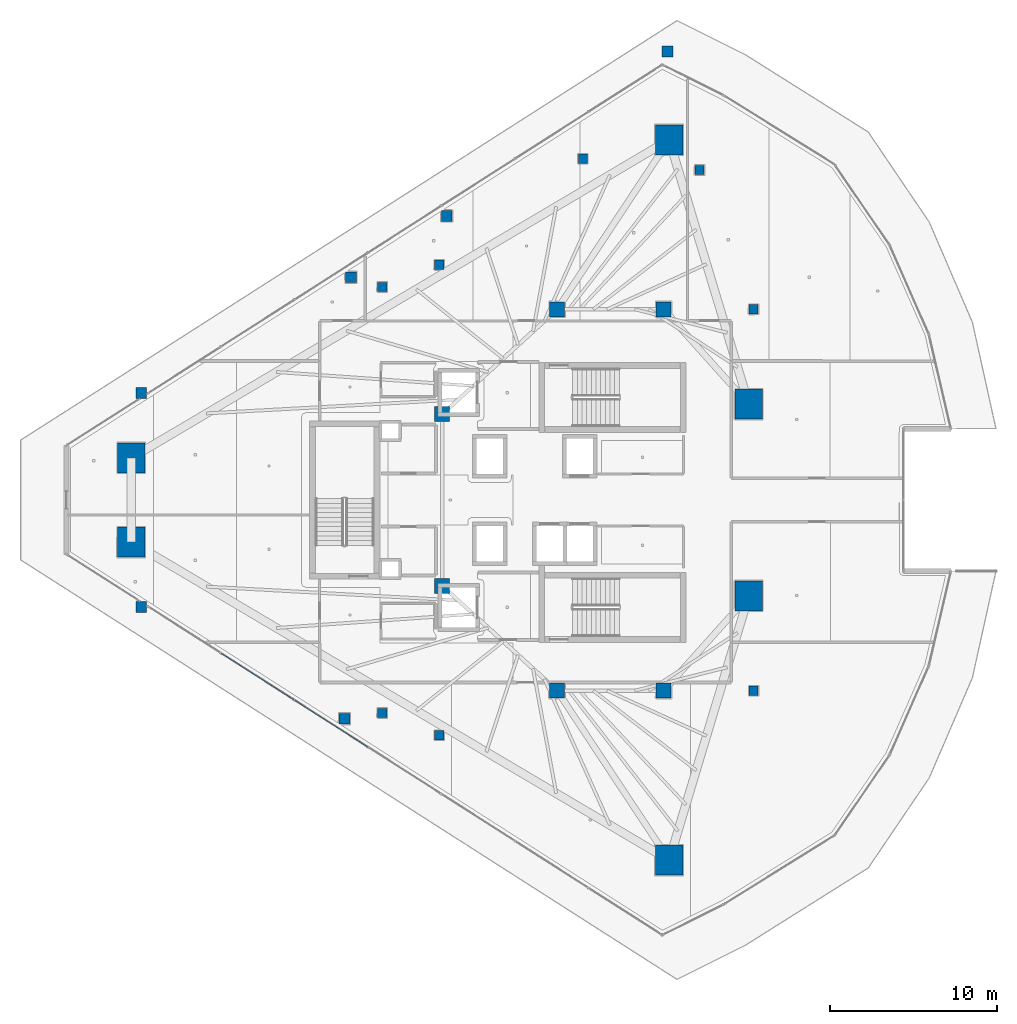
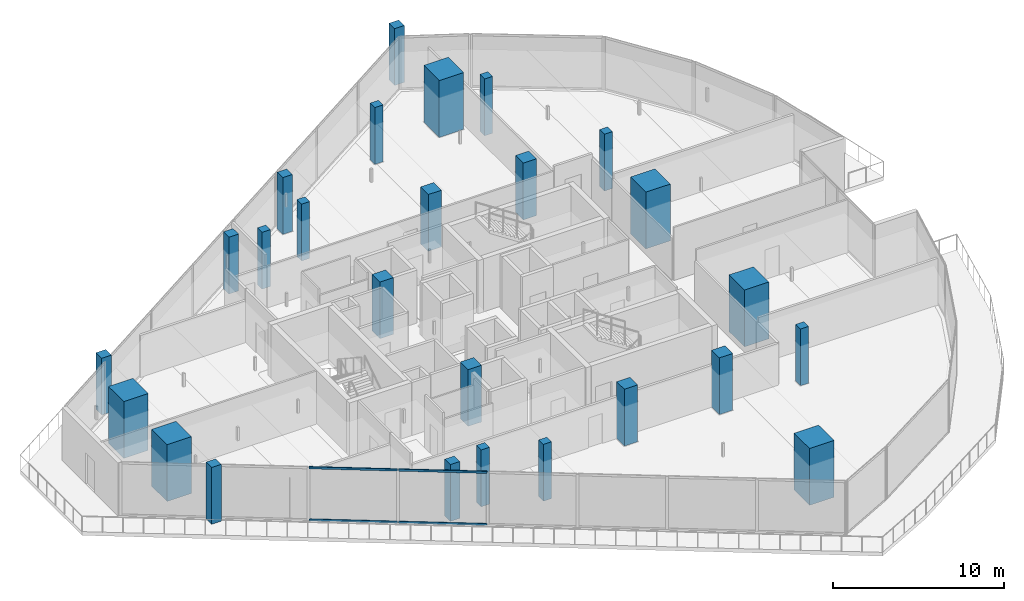
# One storey, part 1 of 33: 26 columns, 4 members, 1 element without a shape of its own.
"""IFC4 building model written with IfcOpenShell, lengths in metres."""

from ifc_helpers import new_model, si_unit, direction, frame, origin, origin_2d, place, context, subcontext, project, spatial, rectangle, hollow_rectangle, extrude, material, layer, layer_set, material_profile, profile_set, type_object, element, aggregate, save


model = new_model("IFC4")

# Units and contexts
model_context = context("Model", 3, precision=1e-05, world=origin(), true_north=direction((0.0, 1.0)))
body_context = subcontext(model_context, "Body", "Model", "MODEL_VIEW")
ifc_project = project(units=[si_unit("LENGTHUNIT", "METRE"), si_unit("AREAUNIT", "SQUARE_METRE"), si_unit("VOLUMEUNIT", "CUBIC_METRE"), si_unit("PLANEANGLEUNIT", "RADIAN"), si_unit("MASSUNIT", "GRAM", prefix="KILO")], contexts=[model_context])

# Site, building, storey
site_placement = place(None, origin())
site = spatial("IfcSite", under=ifc_project, at=site_placement, CompositionType="ELEMENT")
building_placement = place(site_placement, origin())
building = spatial("IfcBuilding", under=site, at=building_placement, Name="Qorvath Tower", CompositionType="ELEMENT")
storey_placement = place(building_placement, frame((0.0, 0.0, 221.25)))
storey = spatial("IfcBuildingStorey", under=building, at=storey_placement, Name="L51", CompositionType="ELEMENT", Elevation=221.25)

# Columns
ifc_material_1 = material(Name="Concrete C60/75", Category="concrete")
ifc_material_profile_1 = material_profile(ifc_material_1, rectangle(XDim=1.64990234375, YDim=1.800048828125, at=origin_2d()), Name="MC 1800x1650")
ifc_profile_set_1 = profile_set([ifc_material_profile_1], Name="Concrete C60/75")
column_type_1 = type_object("IfcColumnType", Name="COL-MC4", PredefinedType="COLUMN", material=ifc_profile_set_1)
for number, where, z_axis, x_axis, name in (
    (1, (-49.171875, 2.52783203125, 0.0), (0.0, 0.0, 1.0), (1.0, 0.0, 0.0), "Composite Mega-Column MC1 L51"),
    (2, (-49.171875, -2.52783203125, 0.0), (0.0, 0.0, 1.0), (1.0, 0.0, 0.0), "Composite Mega-Column MC2 L51"),
    (3, (-16.87158203125, -21.627197265625, 0.0), (0.0, 0.0, 1.0), (1.0, 0.0, 0.0), "Composite Mega-Column MC3 L51"),
    (4, (-12.0966796875, -5.7578125, 0.0), (0.0, 0.0, 1.0), (1.0, 0.0, 0.0), "Composite Mega-Column MC4 L51"),
    (5, (-12.0966796875, 5.7578125, 0.0), (0.0, 0.0, 1.0), (1.0, 0.0, 0.0), "Composite Mega-Column MC5 L51"),
    (6, (-16.87158203125, 21.627197265625, 0.0), (0.0, 0.0, 1.0), (1.0, 0.0, 0.0), "Composite Mega-Column MC6 L51"),
):
    element("IfcColumn", number, at=place(storey_placement, frame(where, z_axis=z_axis, x_axis=x_axis)), inside=storey, type_object=column_type_1, Name=name, PredefinedType="COLUMN", context=body_context, shape_type="SweptSolid", body=[
        extrude(rectangle(XDim=1.64990234375, YDim=1.800048828125, at=origin_2d()), origin(), (0.0, 0.0, 1.0), 4.050048828125),
    ])
ifc_material_2 = material(Name="Concrete C50/60", Category="concrete")
ifc_material_profile_2 = material_profile(ifc_material_2, rectangle(XDim=0.89990234375, YDim=0.89990234375, at=origin_2d()), Name="RC 900x900")
ifc_profile_set_2 = profile_set([ifc_material_profile_2], Name="Concrete C50/60")
column_type_2 = type_object("IfcColumnType", Name="COL-RC3", PredefinedType="COLUMN", material=ifc_profile_set_2)
for number, where, z_axis, x_axis, name in (
    (7, (-23.60009765625, 11.449951171875, 0.0), (0.0, 0.0, 1.0), (1.0, 0.0, 0.0), "Core Spine Column CC1 L51"),
    (8, (-17.199951171875, 11.449951171875, 0.0), (0.0, 0.0, 1.0), (1.0, 0.0, 0.0), "Core Spine Column CC2 L51"),
    (9, (-17.199951171875, -11.449951171875, 0.0), (0.0, 0.0, 1.0), (1.0, 0.0, 0.0), "Core Spine Column CC3 L51"),
    (10, (-23.60009765625, -11.449951171875, 0.0), (0.0, 0.0, 1.0), (1.0, 0.0, 0.0), "Core Spine Column CC4 L51"),
    (11, (-30.5, 5.14990234375, 0.0), (0.0, 0.0, 1.0), (1.0, 0.0, 0.0), "Core Spine Column CC5 L51"),
    (12, (-30.5, -5.14990234375, 0.0), (0.0, 0.0, 1.0), (1.0, 0.0, 0.0), "Core Spine Column CC6 L51"),
):
    element("IfcColumn", number, at=place(storey_placement, frame(where, z_axis=z_axis, x_axis=x_axis)), inside=storey, type_object=column_type_2, Name=name, PredefinedType="COLUMN", context=body_context, shape_type="SweptSolid", body=[
        extrude(rectangle(XDim=0.89990234375, YDim=0.89990234375, at=origin_2d()), origin(), (0.0, 0.0, 1.0), 4.050048828125),
    ])
ifc_material_3 = material(Name="Concrete C45/55", Category="concrete")
ifc_material_profile_3 = material_profile(ifc_material_3, rectangle(XDim=0.64990234375, YDim=0.64990234375, at=origin_2d()), Name="RC 650x650")
ifc_profile_set_3 = profile_set([ifc_material_profile_3], Name="Concrete C45/55")
column_type_3 = type_object("IfcColumnType", Name="COL-RC6", PredefinedType="COLUMN", material=ifc_profile_set_3)
for number, where, z_axis, x_axis, name in (
    (13, (-48.578369140625, 6.424560546875, 0.0), (0.0, 0.0, 1.0), (1.0, 0.0, 0.0), "Loggia Frame Pier Column LGE1 L51"),
    (14, (-48.578369140625, -6.424560546875, 0.0), (0.0, 0.0, 1.0), (1.0, 0.0, 0.0), "Loggia Frame Pier Column LGE2 L51"),
    (15, (-16.981201171875, 26.92919921875, 0.0), (0.0, 0.0, 1.0), (1.0, 0.0, 0.0), "Loggia Frame Pier Column LGE3 L51"),
    (16, (-35.980712890625, 13.380859375, 0.0), (0.0, 0.0, 1.0), (1.0, 0.0, 0.0), "Loggia Frame Pier Column LGF1 L51"),
    (17, (-36.36474609375, -13.135498046875, 0.0), (0.0, 0.0, 1.0), (1.0, 0.0, 0.0), "Loggia Frame Pier Column LGF2 L51"),
    (18, (-30.224853515625, 17.0595703125, 0.0), (0.0, 0.0, 1.0), (1.0, 0.0, 0.0), "Loggia Frame Pier Column LGF3 L51"),
):
    element("IfcColumn", number, at=place(storey_placement, frame(where, z_axis=z_axis, x_axis=x_axis)), inside=storey, type_object=column_type_3, Name=name, PredefinedType="COLUMN", context=body_context, shape_type="SweptSolid", body=[
        extrude(rectangle(XDim=0.64990234375, YDim=0.64990234375, at=origin_2d()), origin(), (0.0, 0.0, 1.0), 4.050048828125),
    ])
ifc_material_4 = material(Name="Concrete C45/55", Category="concrete")
ifc_material_profile_4 = material_profile(ifc_material_4, rectangle(XDim=0.550048828125, YDim=0.550048828125, at=origin_2d()), Name="RC 550x550")
ifc_profile_set_4 = profile_set([ifc_material_profile_4], Name="Concrete C45/55")
column_type_4 = type_object("IfcColumnType", Name="COL-RC7", PredefinedType="COLUMN", material=ifc_profile_set_4)
for number, where, z_axis, x_axis, name in (
    (19, (-34.104248046875, 12.79248046875, 0.0), (0.0, 0.0, 1.0), (1.0, 0.0, 0.0), "Loggia Frame Pier Column LGG1 L51"),
    (20, (-34.104248046875, -12.79248046875, 0.0), (0.0, 0.0, 1.0), (1.0, 0.0, 0.0), "Loggia Frame Pier Column LGG2 L51"),
    (21, (-22.05322265625, 20.494873046875, 0.0), (0.0, 0.0, 1.0), (1.0, 0.0, 0.0), "Loggia Frame Pier Column LGG3 L51"),
    (22, (-30.67724609375, 14.124267578125, 0.0), (0.0, 0.0, 1.0), (1.0, 0.0, 0.0), "Loggia Frame Pier Column LGH1 L51"),
    (23, (-30.67724609375, -14.124267578125, 0.0), (0.0, 0.0, 1.0), (1.0, 0.0, 0.0), "Loggia Frame Pier Column LGH2 L51"),
    (24, (-15.046142578125, 19.818115234375, 0.0), (0.0, 0.0, 1.0), (1.0, 0.0, 0.0), "Loggia Frame Pier Column LGH3 L51"),
    (25, (-11.800048828125, -11.449951171875, 0.0), (0.0, 0.0, 1.0), (1.0, 0.0, 0.0), "Central Slot Jamb Column SC1 L51"),
    (26, (-11.800048828125, 11.449951171875, 0.0), (0.0, 0.0, 1.0), (1.0, 0.0, 0.0), "Central Slot Jamb Column SC2 L51"),
):
    element("IfcColumn", number, at=place(storey_placement, frame(where, z_axis=z_axis, x_axis=x_axis)), inside=storey, type_object=column_type_4, Name=name, PredefinedType="COLUMN", context=body_context, shape_type="SweptSolid", body=[
        extrude(rectangle(XDim=0.550048828125, YDim=0.550048828125, at=origin_2d()), origin(), (0.0, 0.0, 1.0), 4.050048828125),
    ])

# Curtain wall, members
ifc_material_5 = material(Name="Anodised aluminium and triple low-E glass", Category="aluminium")
ifc_layer = layer(ifc_material_5, 0.179931640625)
ifc_layer_set = layer_set([ifc_layer], Name="CW-SYS-3")
curtain_wall_type = type_object("IfcCurtainWallType", Name="CW-SYS-3", PredefinedType="NOTDEFINED", material=ifc_layer_set)
curtain_wall_placement = place(storey_placement, origin())
curtain_wall = element("IfcCurtainWall", 27, at=curtain_wall_placement, inside=storey, type_object=curtain_wall_type, Name="Curtain Wall CW-3 CW-T-L51-2.2", PredefinedType="NOTDEFINED")
ifc_material_6 = material(Name="Anodised aluminium 6063-T6", Category="aluminium")
ifc_material_profile_5 = material_profile(ifc_material_6, hollow_rectangle(XDim=0.06494140625, YDim=0.159912109375, WallThickness=0.00341796875, InnerFilletRadius=0.00341796875, OuterFilletRadius=0.007080078125, at=origin_2d()), Name="CWT 160x65")
ifc_profile_set_5 = profile_set([ifc_material_profile_5], Name="Anodised aluminium 6063-T6")
member_type = type_object("IfcMemberType", Name="CWT-160", PredefinedType="USERDEFINED", material=ifc_profile_set_5)
member_1_placement = place(storey_placement, frame((-43.763916015625, -9.213134765625, 0.032470703125), z_axis=(0.842582136458, -0.538567863246, 0.0), x_axis=(0.538567863246, 0.842582136458, 0.0)))
member_1 = element("IfcMember", 28, at=member_1_placement, type_object=member_type, Name="CW-3 transom 2.1", ObjectType="TRANSOM", PredefinedType="USERDEFINED", context=body_context, shape_type="SweptSolid", body=[
    extrude(hollow_rectangle(XDim=0.06494140625, YDim=0.159912109375, WallThickness=0.00341796875, InnerFilletRadius=0.00341796875, OuterFilletRadius=0.007080078125, at=origin_2d()), origin(), (0.0, 0.0, 1.0), 5.17724609375),
])
member_2_placement = place(storey_placement, frame((-43.763916015625, -9.213134765625, 3.74755859375), z_axis=(0.842582136458, -0.538567863246, 0.0), x_axis=(0.538567863246, 0.842582136458, 0.0)))
member_2 = element("IfcMember", 29, at=member_2_placement, type_object=member_type, Name="CW-3 transom 2.2", ObjectType="TRANSOM", PredefinedType="USERDEFINED", context=body_context, shape_type="SweptSolid", body=[
    extrude(hollow_rectangle(XDim=0.06494140625, YDim=0.159912109375, WallThickness=0.00341796875, InnerFilletRadius=0.00341796875, OuterFilletRadius=0.007080078125, at=origin_2d()), origin(), (0.0, 0.0, 1.0), 5.17724609375),
])
member_3_placement = place(storey_placement, frame((-39.346923828125, -12.036376953125, 0.032470703125), z_axis=(0.842603535115, -0.538534383871, 0.0), x_axis=(0.538534383871, 0.842603535115, 0.0)))
member_3 = element("IfcMember", 30, at=member_3_placement, type_object=member_type, Name="CW-3 transom 3.1", ObjectType="TRANSOM", PredefinedType="USERDEFINED", context=body_context, shape_type="SweptSolid", body=[
    extrude(hollow_rectangle(XDim=0.06494140625, YDim=0.159912109375, WallThickness=0.00341796875, InnerFilletRadius=0.00341796875, OuterFilletRadius=0.007080078125, at=origin_2d()), origin(), (0.0, 0.0, 1.0), 5.17724609375),
])
member_4_placement = place(storey_placement, frame((-39.346923828125, -12.036376953125, 3.74755859375), z_axis=(0.842603535115, -0.538534383871, 0.0), x_axis=(0.538534383871, 0.842603535115, 0.0)))
member_4 = element("IfcMember", 31, at=member_4_placement, type_object=member_type, Name="CW-3 transom 3.2", ObjectType="TRANSOM", PredefinedType="USERDEFINED", context=body_context, shape_type="SweptSolid", body=[
    extrude(hollow_rectangle(XDim=0.06494140625, YDim=0.159912109375, WallThickness=0.00341796875, InnerFilletRadius=0.00341796875, OuterFilletRadius=0.007080078125, at=origin_2d()), origin(), (0.0, 0.0, 1.0), 5.17724609375),
])
aggregate(curtain_wall, [member_1, member_2, member_3, member_4])

save(model, "model.ifc")
